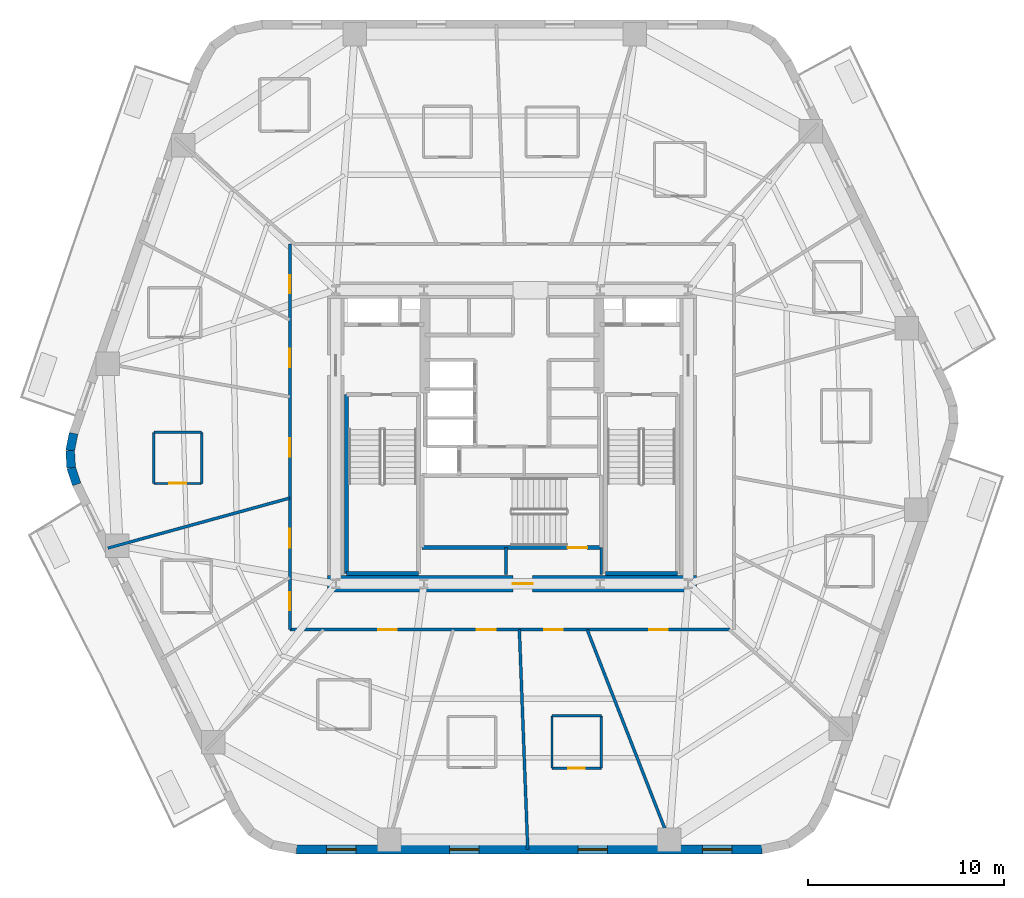
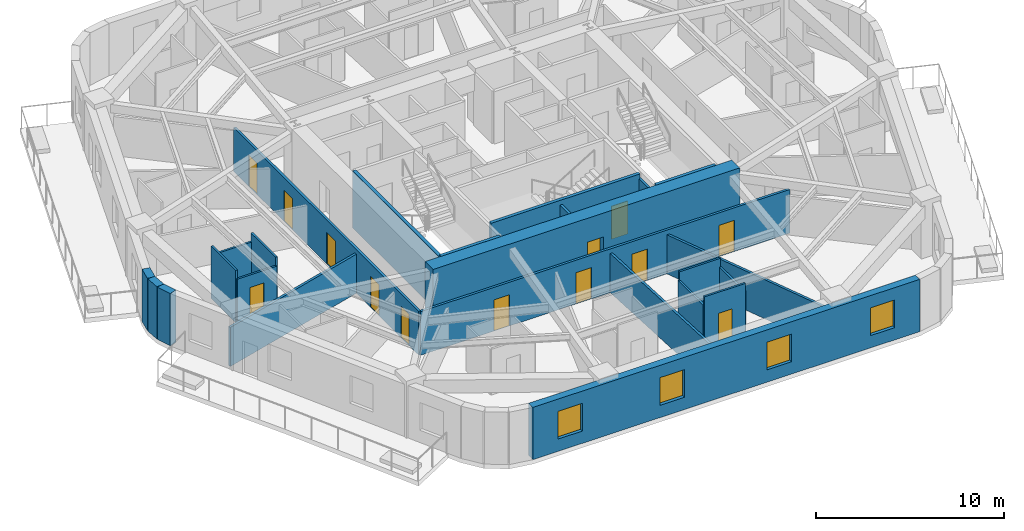
# One storey, part 3 of 10: 24 walls, 13 doors, 4 windows, 17 openings.
"""IFC4 building model written with IfcOpenShell, lengths in metres."""

from ifc_helpers import new_model, si_unit, direction, frame, frame_2d, origin, place, context, subcontext, project, spatial, rectangle, extrude, material, layer, layer_set, type_object, element, fill, save


model = new_model("IFC4")

# Units and contexts
model_context = context("Model", 3, precision=1e-05, world=origin(), true_north=direction((0.0, 1.0)))
body_context = subcontext(model_context, "Body", "Model", "MODEL_VIEW")
ifc_project = project(units=[si_unit("LENGTHUNIT", "METRE"), si_unit("AREAUNIT", "SQUARE_METRE"), si_unit("VOLUMEUNIT", "CUBIC_METRE"), si_unit("PLANEANGLEUNIT", "RADIAN"), si_unit("MASSUNIT", "GRAM", prefix="KILO")], contexts=[model_context])

# Site, building, storey
site_placement = place(None, origin())
site = spatial("IfcSite", under=ifc_project, at=site_placement, CompositionType="ELEMENT")
building_placement = place(site_placement, origin())
building = spatial("IfcBuilding", under=site, at=building_placement, Name="Kilnhurst Terrace Hotel", CompositionType="ELEMENT")
storey_placement = place(building_placement, frame((0.0, 0.0, 113.60009765625)))
storey = spatial("IfcBuildingStorey", under=building, at=storey_placement, Name="L27", CompositionType="ELEMENT", Elevation=113.60009765625)

# Walls
ifc_material_1 = material(Name="Precast concrete C40/50", Category="concrete")
ifc_layer_1 = layer(ifc_material_1, 0.449951171875, Name="Precast concrete C40/50")
ifc_layer_set_1 = layer_set([ifc_layer_1], Name="Precast concrete C40/50")
wall_type_1 = type_object("IfcWallType", Name="WL-BRK-450", PredefinedType="SOLIDWALL", material=ifc_layer_set_1)
wall_1_placement = place(storey_placement, frame((-22.39697265625, 0.17919921875, 0.0), z_axis=(0.0, 0.0, 1.0), x_axis=(-0.199313589404, -0.979935759669, 0.0)))
element("IfcWall", 1, at=wall_1_placement, inside=storey, type_object=wall_type_1, Name="L27 Rounded Corner Brick Wall C6.1", PredefinedType="SOLIDWALL", context=body_context, shape_type="SweptSolid", body=[
    extrude(rectangle(XDim=0.8955078125, YDim=0.449951171875, at=frame_2d((0.44775390625, 0.0))), origin(), (0.0, 0.0, 1.0), 3.39990234375),
])
wall_2_placement = place(storey_placement, frame((-22.575439453125, -0.6982421875, 0.0), z_axis=(0.0, 0.0, 1.0), x_axis=(0.060980441946, -0.998138961117, 0.0)))
element("IfcWall", 2, at=wall_2_placement, inside=storey, type_object=wall_type_1, Name="L27 Rounded Corner Brick Wall C6.2", PredefinedType="SOLIDWALL", context=body_context, shape_type="SweptSolid", body=[
    extrude(rectangle(XDim=0.880859375, YDim=0.449951171875, at=frame_2d((0.4404296875, 0.0))), origin(), (0.0, 0.0, 1.0), 3.39990234375),
])
wall_3_placement = place(storey_placement, frame((-22.521728515625, -1.577392578125, 0.0), z_axis=(0.0, 0.0, 1.0), x_axis=(0.317372694837, -0.948300887151, 0.0)))
element("IfcWall", 3, at=wall_3_placement, inside=storey, type_object=wall_type_1, Name="L27 Rounded Corner Brick Wall C6.3", PredefinedType="SOLIDWALL", context=body_context, shape_type="SweptSolid", body=[
    extrude(rectangle(XDim=0.8955078125, YDim=0.449951171875, at=frame_2d((0.44775390625, 0.0))), origin(), (0.0, 0.0, 1.0), 3.39990234375),
])

# Wall, openings, windows
wall_4_placement = place(storey_placement, frame((-11.011962890625, -21.074951171875, 0.0), z_axis=(0.0, 0.0, 1.0), x_axis=(1.0, 0.0, 0.0)))
wall_4 = element("IfcWall", 4, at=wall_4_placement, inside=storey, type_object=wall_type_1, Name="L27 Exterior Brick Facade Wall F1", PredefinedType="SOLIDWALL", context=body_context, shape_type="SweptSolid", body=[
    extrude(rectangle(XDim=23.782470703125, YDim=0.449951171875, at=frame_2d((11.89111328125, 0.0))), origin(), (0.0, 0.0, 1.0), 3.39990234375),
])
opening_1_placement = place(wall_4_placement, frame((1.5419921875, 0.0, 0.800048828125)))
opening_1 = element("IfcOpeningElement", 5, at=opening_1_placement, cuts=wall_4, Name="Opening W-02", PredefinedType="OPENING", context=body_context, shape_type="SweptSolid", body=[
    extrude(rectangle(XDim=1.5, YDim=1.800048828125, at=frame_2d((0.75, 0.89990234375))), frame((0.0, 0.23486328125, 0.0), z_axis=(0.0, -1.0, 0.0), x_axis=(1.0, 0.0, 0.0)), (0.0, 0.0, 1.0), 0.469970703125),
])
opening_2_placement = place(wall_4_placement, frame((7.820068359375, 0.0, 0.800048828125)))
opening_2 = element("IfcOpeningElement", 6, at=opening_2_placement, cuts=wall_4, Name="Opening W-02", PredefinedType="OPENING", context=body_context, shape_type="SweptSolid", body=[
    extrude(rectangle(XDim=1.5, YDim=1.800048828125, at=frame_2d((0.75, 0.89990234375))), frame((0.0, 0.23486328125, 0.0), z_axis=(0.0, -1.0, 0.0), x_axis=(1.0, 0.0, 0.0)), (0.0, 0.0, 1.0), 0.469970703125),
])
opening_3_placement = place(wall_4_placement, frame((14.387939453125, 0.0, 0.800048828125)))
opening_3 = element("IfcOpeningElement", 7, at=opening_3_placement, cuts=wall_4, Name="Opening W-02", PredefinedType="OPENING", context=body_context, shape_type="SweptSolid", body=[
    extrude(rectangle(XDim=1.5, YDim=1.800048828125, at=frame_2d((0.75, 0.89990234375))), frame((0.0, 0.23486328125, 0.0), z_axis=(0.0, -1.0, 0.0), x_axis=(1.0, 0.0, 0.0)), (0.0, 0.0, 1.0), 0.469970703125),
])
opening_4_placement = place(wall_4_placement, frame((20.740966796875, 0.0, 0.800048828125)))
opening_4 = element("IfcOpeningElement", 8, at=opening_4_placement, cuts=wall_4, Name="Opening W-02", PredefinedType="OPENING", context=body_context, shape_type="SweptSolid", body=[
    extrude(rectangle(XDim=1.5, YDim=1.800048828125, at=frame_2d((0.75, 0.89990234375))), frame((0.0, 0.23486328125, 0.0), z_axis=(0.0, -1.0, 0.0), x_axis=(1.0, 0.0, 0.0)), (0.0, 0.0, 1.0), 0.469970703125),
])
ifc_material_2 = material(Name="Thermally Broken Bronze Aluminium Alloy 6063-T6 and Low-E Glass", Category="aluminium")
window_type = type_object("IfcWindowType", Name="WIN-1500X1800", PartitioningType="SINGLE_PANEL", PredefinedType="WINDOW", material=ifc_material_2)
window_1_placement = place(opening_1_placement, origin())
window_1 = element("IfcWindow", 9, at=window_1_placement, inside=storey, type_object=window_type, Name="L27 Deep-Set Masonry Window F1.1", OverallHeight=1.800048828125, OverallWidth=1.5, PartitioningType="SINGLE_PANEL", PredefinedType="WINDOW", context=body_context, shape_type="SweptSolid", body=[
    extrude(rectangle(XDim=1.5, YDim=1.800048828125, at=frame_2d((0.75, 0.89990234375))), frame((0.0, 0.030029296875, 0.0), z_axis=(0.0, -1.0, 0.0), x_axis=(1.0, 0.0, 0.0)), (0.0, 0.0, 1.0), 0.06005859375),
])
fill(opening_1, window_1)
window_2_placement = place(opening_2_placement, origin())
window_2 = element("IfcWindow", 10, at=window_2_placement, inside=storey, type_object=window_type, Name="L27 Deep-Set Masonry Window F1.2", OverallHeight=1.800048828125, OverallWidth=1.5, PartitioningType="SINGLE_PANEL", PredefinedType="WINDOW", context=body_context, shape_type="SweptSolid", body=[
    extrude(rectangle(XDim=1.5, YDim=1.800048828125, at=frame_2d((0.75, 0.89990234375))), frame((0.0, 0.030029296875, 0.0), z_axis=(0.0, -1.0, 0.0), x_axis=(1.0, 0.0, 0.0)), (0.0, 0.0, 1.0), 0.06005859375),
])
fill(opening_2, window_2)
window_3_placement = place(opening_3_placement, origin())
window_3 = element("IfcWindow", 11, at=window_3_placement, inside=storey, type_object=window_type, Name="L27 Deep-Set Masonry Window F1.3", OverallHeight=1.800048828125, OverallWidth=1.5, PartitioningType="SINGLE_PANEL", PredefinedType="WINDOW", context=body_context, shape_type="SweptSolid", body=[
    extrude(rectangle(XDim=1.5, YDim=1.800048828125, at=frame_2d((0.75, 0.89990234375))), frame((0.0, 0.030029296875, 0.0), z_axis=(0.0, -1.0, 0.0), x_axis=(1.0, 0.0, 0.0)), (0.0, 0.0, 1.0), 0.06005859375),
])
fill(opening_3, window_3)
window_4_placement = place(opening_4_placement, origin())
window_4 = element("IfcWindow", 12, at=window_4_placement, inside=storey, type_object=window_type, Name="L27 Deep-Set Masonry Window F1.4", OverallHeight=1.800048828125, OverallWidth=1.5, PartitioningType="SINGLE_PANEL", PredefinedType="WINDOW", context=body_context, shape_type="SweptSolid", body=[
    extrude(rectangle(XDim=1.5, YDim=1.800048828125, at=frame_2d((0.75, 0.89990234375))), frame((0.0, 0.030029296875, 0.0), z_axis=(0.0, -1.0, 0.0), x_axis=(1.0, 0.0, 0.0)), (0.0, 0.0, 1.0), 0.06005859375),
])
fill(opening_4, window_4)

# Wall, openings, doors
ifc_material_3 = material(Name="Acoustic Double-Gypsum Corridor Partition Assembly")
ifc_layer_2 = layer(ifc_material_3, 0.14990234375, Name="Acoustic Double-Gypsum Corridor Partition Assembly")
ifc_layer_set_2 = layer_set([ifc_layer_2], Name="Acoustic Double-Gypsum Corridor Partition Assembly")
wall_type_2 = type_object("IfcWallType", Name="WL-COR-150", PredefinedType="PARTITIONING", material=ifc_layer_set_2)
wall_5_placement = place(storey_placement, frame((-11.35009765625, -9.85009765625, 0.0), z_axis=(0.0, 0.0, 1.0), x_axis=(0.0, 1.0, 0.0)))
wall_5 = element("IfcWall", 13, at=wall_5_placement, inside=storey, type_object=wall_type_2, Name="L27 Interior Wall WL-L27-COR-01", PredefinedType="PARTITIONING", context=body_context, shape_type="SweptSolid", body=[
    extrude(rectangle(XDim=19.7001953125, YDim=0.14990234375, at=frame_2d((9.85009765625, 0.0))), origin(), (0.0, 0.0, 1.0), 2.83984375),
])
opening_5_placement = place(wall_5_placement, frame((17.197021484375, 0.0, 0.0)))
opening_5 = element("IfcOpeningElement", 14, at=opening_5_placement, cuts=wall_5, Name="Opening D-60C", PredefinedType="OPENING", context=body_context, shape_type="SweptSolid", body=[
    extrude(rectangle(XDim=0.89990234375, YDim=2.030029296875, at=frame_2d((0.449951171875, 1.01513671875))), frame((0.0, 0.0849609375, 0.0), z_axis=(0.0, -1.0, 0.0), x_axis=(1.0, 0.0, 0.0)), (0.0, 0.0, 1.0), 0.169921875),
])
opening_6_placement = place(wall_5_placement, frame((13.407958984375, 0.0, 0.0)))
opening_6 = element("IfcOpeningElement", 15, at=opening_6_placement, cuts=wall_5, Name="Opening D-60B", PredefinedType="OPENING", context=body_context, shape_type="SweptSolid", body=[
    extrude(rectangle(XDim=0.949951171875, YDim=2.030029296875, at=frame_2d((0.47509765625, 1.01513671875))), frame((0.0, 0.0849609375, 0.0), z_axis=(0.0, -1.0, 0.0), x_axis=(1.0, 0.0, 0.0)), (0.0, 0.0, 1.0), 0.169921875),
])
opening_7_placement = place(wall_5_placement, frame((8.8359375, 0.0, 0.0)))
opening_7 = element("IfcOpeningElement", 16, at=opening_7_placement, cuts=wall_5, Name="Opening D-60B", PredefinedType="OPENING", context=body_context, shape_type="SweptSolid", body=[
    extrude(rectangle(XDim=0.949951171875, YDim=2.030029296875, at=frame_2d((0.47509765625, 1.01513671875))), frame((0.0, 0.0849609375, 0.0), z_axis=(0.0, -1.0, 0.0), x_axis=(1.0, 0.0, 0.0)), (0.0, 0.0, 1.0), 0.169921875),
])
opening_8_placement = place(wall_5_placement, frame((4.198974609375, 0.0, 0.0)))
opening_8 = element("IfcOpeningElement", 17, at=opening_8_placement, cuts=wall_5, Name="Opening D-60B", PredefinedType="OPENING", context=body_context, shape_type="SweptSolid", body=[
    extrude(rectangle(XDim=0.949951171875, YDim=2.030029296875, at=frame_2d((0.47509765625, 1.01513671875))), frame((0.0, 0.0849609375, 0.0), z_axis=(0.0, -1.0, 0.0), x_axis=(1.0, 0.0, 0.0)), (0.0, 0.0, 1.0), 0.169921875),
])
opening_9_placement = place(wall_5_placement, frame((1.001953125, 0.0, 0.0)))
opening_9 = element("IfcOpeningElement", 18, at=opening_9_placement, cuts=wall_5, Name="Opening D-60C", PredefinedType="OPENING", context=body_context, shape_type="SweptSolid", body=[
    extrude(rectangle(XDim=0.89990234375, YDim=2.030029296875, at=frame_2d((0.449951171875, 1.01513671875))), frame((0.0, 0.0849609375, 0.0), z_axis=(0.0, -1.0, 0.0), x_axis=(1.0, 0.0, 0.0)), (0.0, 0.0, 1.0), 0.169921875),
])
ifc_material_4 = material(Name="Painted Solid-Core Service Fire Door")
door_type_1 = type_object("IfcDoorType", Name="DR-FD60-900", OperationType="NOTDEFINED", PredefinedType="DOOR", material=ifc_material_4)
door_1_placement = place(opening_5_placement, origin())
door_1 = element("IfcDoor", 19, at=door_1_placement, inside=storey, type_object=door_type_1, Name="L27 Executive Work Office Door 7", OperationType="SINGLE_SWING_LEFT", OverallHeight=2.030029296875, OverallWidth=0.89990234375, PredefinedType="DOOR", context=body_context, shape_type="SweptSolid", body=[
    extrude(rectangle(XDim=0.89990234375, YDim=2.030029296875, at=frame_2d((0.449951171875, 1.01513671875))), frame((0.0, 0.02490234375, 0.0), z_axis=(0.0, -1.0, 0.0), x_axis=(1.0, 0.0, 0.0)), (0.0, 0.0, 1.0), 0.050048828125),
])
fill(opening_5, door_1)
door_2_placement = place(opening_9_placement, origin())
door_2 = element("IfcDoor", 20, at=door_2_placement, inside=storey, type_object=door_type_1, Name="L27 Botanical Reading Lounge Door 11", OperationType="SINGLE_SWING_LEFT", OverallHeight=2.030029296875, OverallWidth=0.89990234375, PredefinedType="DOOR", context=body_context, shape_type="SweptSolid", body=[
    extrude(rectangle(XDim=0.89990234375, YDim=2.030029296875, at=frame_2d((0.449951171875, 1.01513671875))), frame((0.0, 0.02490234375, 0.0), z_axis=(0.0, -1.0, 0.0), x_axis=(1.0, 0.0, 0.0)), (0.0, 0.0, 1.0), 0.050048828125),
])
fill(opening_9, door_2)
ifc_material_5 = material(Name="Acoustic Walnut Veneer Solid-Core Fire Door")
door_type_2 = type_object("IfcDoorType", Name="DR-FD60-950", OperationType="NOTDEFINED", PredefinedType="DOOR", material=ifc_material_5)
door_3_placement = place(opening_6_placement, origin())
door_3 = element("IfcDoor", 21, at=door_3_placement, inside=storey, type_object=door_type_2, Name="L27 Guest Room Entry Door 8", OperationType="SINGLE_SWING_RIGHT", OverallHeight=2.030029296875, OverallWidth=0.949951171875, PredefinedType="DOOR", context=body_context, shape_type="SweptSolid", body=[
    extrude(rectangle(XDim=0.949951171875, YDim=2.030029296875, at=frame_2d((0.47509765625, 1.01513671875))), frame((0.0, 0.02490234375, 0.0), z_axis=(0.0, -1.0, 0.0), x_axis=(1.0, 0.0, 0.0)), (0.0, 0.0, 1.0), 0.050048828125),
])
fill(opening_6, door_3)
door_4_placement = place(opening_7_placement, origin())
door_4 = element("IfcDoor", 22, at=door_4_placement, inside=storey, type_object=door_type_2, Name="L27 Executive Suite Entry Door 9", OperationType="SINGLE_SWING_LEFT", OverallHeight=2.030029296875, OverallWidth=0.949951171875, PredefinedType="DOOR", context=body_context, shape_type="SweptSolid", body=[
    extrude(rectangle(XDim=0.949951171875, YDim=2.030029296875, at=frame_2d((0.47509765625, 1.01513671875))), frame((0.0, 0.02490234375, 0.0), z_axis=(0.0, -1.0, 0.0), x_axis=(1.0, 0.0, 0.0)), (0.0, 0.0, 1.0), 0.050048828125),
])
fill(opening_7, door_4)
door_5_placement = place(opening_8_placement, origin())
door_5 = element("IfcDoor", 23, at=door_5_placement, inside=storey, type_object=door_type_2, Name="L27 Guest Room Entry Door 10", OperationType="SINGLE_SWING_RIGHT", OverallHeight=2.030029296875, OverallWidth=0.949951171875, PredefinedType="DOOR", context=body_context, shape_type="SweptSolid", body=[
    extrude(rectangle(XDim=0.949951171875, YDim=2.030029296875, at=frame_2d((0.47509765625, 1.01513671875))), frame((0.0, 0.02490234375, 0.0), z_axis=(0.0, -1.0, 0.0), x_axis=(1.0, 0.0, 0.0)), (0.0, 0.0, 1.0), 0.050048828125),
])
fill(opening_8, door_5)

wall_6_placement = place(storey_placement, frame((11.35009765625, -9.85009765625, 0.0), z_axis=(0.0, 0.0, 1.0), x_axis=(-1.0, 0.0, 0.0)))
wall_6 = element("IfcWall", 24, at=wall_6_placement, inside=storey, type_object=wall_type_2, Name="L27 Interior Wall WL-L27-COR-04", PredefinedType="PARTITIONING", context=body_context, shape_type="SweptSolid", body=[
    extrude(rectangle(XDim=22.7001953125, YDim=0.14990234375, at=frame_2d((11.35009765625, 0.0))), origin(), (0.0, 0.0, 1.0), 2.83984375),
])
opening_10_placement = place(wall_6_placement, frame((17.237060546875, 0.0, 0.0)))
opening_10 = element("IfcOpeningElement", 25, at=opening_10_placement, cuts=wall_6, Name="Opening D-60B", PredefinedType="OPENING", context=body_context, shape_type="SweptSolid", body=[
    extrude(rectangle(XDim=0.949951171875, YDim=2.030029296875, at=frame_2d((0.47509765625, 1.01513671875))), frame((0.0, 0.0849609375, 0.0), z_axis=(0.0, -1.0, 0.0), x_axis=(1.0, 0.0, 0.0)), (0.0, 0.0, 1.0), 0.169921875),
])
opening_11_placement = place(wall_6_placement, frame((12.19189453125, 0.0, 0.0)))
opening_11 = element("IfcOpeningElement", 26, at=opening_11_placement, cuts=wall_6, Name="Opening D-60B", PredefinedType="OPENING", context=body_context, shape_type="SweptSolid", body=[
    extrude(rectangle(XDim=0.949951171875, YDim=2.030029296875, at=frame_2d((0.47509765625, 1.01513671875))), frame((0.0, 0.0849609375, 0.0), z_axis=(0.0, -1.0, 0.0), x_axis=(1.0, 0.0, 0.0)), (0.0, 0.0, 1.0), 0.169921875),
])
opening_12_placement = place(wall_6_placement, frame((8.757080078125, 0.0, 0.0)))
opening_12 = element("IfcOpeningElement", 27, at=opening_12_placement, cuts=wall_6, Name="Opening D-60B", PredefinedType="OPENING", context=body_context, shape_type="SweptSolid", body=[
    extrude(rectangle(XDim=0.949951171875, YDim=2.030029296875, at=frame_2d((0.47509765625, 1.01513671875))), frame((0.0, 0.0849609375, 0.0), z_axis=(0.0, -1.0, 0.0), x_axis=(1.0, 0.0, 0.0)), (0.0, 0.0, 1.0), 0.169921875),
])
opening_13_placement = place(wall_6_placement, frame((3.39892578125, 0.0, 0.0)))
opening_13 = element("IfcOpeningElement", 28, at=opening_13_placement, cuts=wall_6, Name="Opening D-60B", PredefinedType="OPENING", context=body_context, shape_type="SweptSolid", body=[
    extrude(rectangle(XDim=0.949951171875, YDim=2.030029296875, at=frame_2d((0.47509765625, 1.01513671875))), frame((0.0, 0.0849609375, 0.0), z_axis=(0.0, -1.0, 0.0), x_axis=(1.0, 0.0, 0.0)), (0.0, 0.0, 1.0), 0.169921875),
])
door_6_placement = place(opening_10_placement, origin())
door_6 = element("IfcDoor", 29, at=door_6_placement, inside=storey, type_object=door_type_2, Name="L27 Executive Suite Entry Door 12", OperationType="SINGLE_SWING_RIGHT", OverallHeight=2.030029296875, OverallWidth=0.949951171875, PredefinedType="DOOR", context=body_context, shape_type="SweptSolid", body=[
    extrude(rectangle(XDim=0.949951171875, YDim=2.030029296875, at=frame_2d((0.47509765625, 1.01513671875))), frame((0.0, 0.02490234375, 0.0), z_axis=(0.0, -1.0, 0.0), x_axis=(1.0, 0.0, 0.0)), (0.0, 0.0, 1.0), 0.050048828125),
])
fill(opening_10, door_6)
door_7_placement = place(opening_11_placement, origin())
door_7 = element("IfcDoor", 30, at=door_7_placement, inside=storey, type_object=door_type_2, Name="L27 Guest Room Entry Door 13", OperationType="SINGLE_SWING_LEFT", OverallHeight=2.030029296875, OverallWidth=0.949951171875, PredefinedType="DOOR", context=body_context, shape_type="SweptSolid", body=[
    extrude(rectangle(XDim=0.949951171875, YDim=2.030029296875, at=frame_2d((0.47509765625, 1.01513671875))), frame((0.0, 0.02490234375, 0.0), z_axis=(0.0, -1.0, 0.0), x_axis=(1.0, 0.0, 0.0)), (0.0, 0.0, 1.0), 0.050048828125),
])
fill(opening_11, door_7)
door_8_placement = place(opening_12_placement, origin())
door_8 = element("IfcDoor", 31, at=door_8_placement, inside=storey, type_object=door_type_2, Name="L27 Guest Room Entry Door 14", OperationType="SINGLE_SWING_RIGHT", OverallHeight=2.030029296875, OverallWidth=0.949951171875, PredefinedType="DOOR", context=body_context, shape_type="SweptSolid", body=[
    extrude(rectangle(XDim=0.949951171875, YDim=2.030029296875, at=frame_2d((0.47509765625, 1.01513671875))), frame((0.0, 0.02490234375, 0.0), z_axis=(0.0, -1.0, 0.0), x_axis=(1.0, 0.0, 0.0)), (0.0, 0.0, 1.0), 0.050048828125),
])
fill(opening_12, door_8)
door_9_placement = place(opening_13_placement, origin())
door_9 = element("IfcDoor", 32, at=door_9_placement, inside=storey, type_object=door_type_2, Name="L27 Business Office Suite Door", OperationType="SINGLE_SWING_LEFT", OverallHeight=2.030029296875, OverallWidth=0.949951171875, PredefinedType="DOOR", context=body_context, shape_type="SweptSolid", body=[
    extrude(rectangle(XDim=0.949951171875, YDim=2.030029296875, at=frame_2d((0.47509765625, 1.01513671875))), frame((0.0, 0.02490234375, 0.0), z_axis=(0.0, -1.0, 0.0), x_axis=(1.0, 0.0, 0.0)), (0.0, 0.0, 1.0), 0.050048828125),
])
fill(opening_13, door_9)

# Wall, opening, door
ifc_material_6 = material(Name="Concrete C80/95", Category="concrete")
ifc_layer_3 = layer(ifc_material_6, 0.85009765625, Name="Concrete C80/95")
ifc_layer_set_3 = layer_set([ifc_layer_3], Name="Concrete C80/95")
wall_type_3 = type_object("IfcWallType", Name="WL-CORE-850", PredefinedType="SHEAR", material=ifc_layer_set_3)
wall_7_placement = place(storey_placement, frame((-9.425048828125, -7.5, 0.0), z_axis=(0.0, 0.0, 1.0), x_axis=(1.0, 0.0, 0.0)))
wall_7 = element("IfcWall", 33, at=wall_7_placement, inside=storey, type_object=wall_type_3, Name="L27 Core South Shear Wall", PredefinedType="SHEAR", context=body_context, shape_type="SweptSolid", body=[
    extrude(rectangle(XDim=18.85009765625, YDim=0.85009765625, at=frame_2d((9.425048828125, 0.0))), origin(), (0.0, 0.0, 1.0), 3.699951171875),
])
opening_14_placement = place(wall_7_placement, frame((9.47509765625, 0.0, 0.0)))
opening_14 = element("IfcOpeningElement", 34, at=opening_14_placement, cuts=wall_7, Name="Opening D-90B", PredefinedType="OPENING", context=body_context, shape_type="SweptSolid", body=[
    extrude(rectangle(XDim=1.0, YDim=2.14990234375, at=frame_2d((0.5, 1.074951171875))), frame((0.0, 0.43505859375, 0.0), z_axis=(0.0, -1.0, 0.0), x_axis=(1.0, 0.0, 0.0)), (0.0, 0.0, 1.0), 0.8701171875),
])
ifc_material_7 = material(Name="Painted Hollow Metal Steel ASTM A36 Fire Door", Category="steel")
door_type_3 = type_object("IfcDoorType", Name="DR-FD90-1000", OperationType="NOTDEFINED", PredefinedType="DOOR", material=ifc_material_7)
door_10_placement = place(opening_14_placement, origin())
door_10 = element("IfcDoor", 35, at=door_10_placement, inside=storey, type_object=door_type_3, Name="L27 Stair ST-3 Corridor Door", OperationType="SINGLE_SWING_RIGHT", OverallHeight=2.14990234375, OverallWidth=1.0, PredefinedType="DOOR", context=body_context, shape_type="SweptSolid", body=[
    extrude(rectangle(XDim=1.0, YDim=2.14990234375, at=frame_2d((0.5, 1.074951171875))), frame((0.0, 0.02490234375, 0.0), z_axis=(0.0, -1.0, 0.0), x_axis=(1.0, 0.0, 0.0)), (0.0, 0.0, 1.0), 0.050048828125),
])
fill(opening_14, door_10)

# Walls
ifc_material_8 = material(Name="STC-58 Acoustic Twin-Frame Guestroom Demising Partition")
ifc_layer_4 = layer(ifc_material_8, 0.14990234375, Name="STC-58 Acoustic Twin-Frame Guestroom Demising Partition")
ifc_layer_set_4 = layer_set([ifc_layer_4], Name="STC-58 Acoustic Twin-Frame Guestroom Demising Partition")
wall_type_4 = type_object("IfcWallType", Name="WL-DEM-150", PredefinedType="PARTITIONING", material=ifc_layer_set_4)
wall_8_placement = place(storey_placement, frame((-11.35009765625, -3.123291015625, 0.0), z_axis=(0.0, 0.0, 1.0), x_axis=(-0.964151983214, -0.265350623261, 0.0)))
element("IfcWall", 36, at=wall_8_placement, inside=storey, type_object=wall_type_4, Name="L27 Interior Wall WL-L27-DEM-COL07-10-1", PredefinedType="PARTITIONING", context=body_context, shape_type="SweptSolid", body=[
    extrude(rectangle(XDim=9.64501953125, YDim=0.14990234375, at=frame_2d((4.822509765625, 0.0))), origin(), (0.0, 0.0, 1.0), 2.539794921875),
])
wall_9_placement = place(storey_placement, frame((0.3759765625, -9.85009765625, 0.0), z_axis=(0.0, 0.0, 1.0), x_axis=(0.03812177869, -0.999273100804, 0.0)))
element("IfcWall", 37, at=wall_9_placement, inside=storey, type_object=wall_type_4, Name="L27 Interior Wall WL-L27-DEM-MID09-14-1", PredefinedType="PARTITIONING", context=body_context, shape_type="SweptSolid", body=[
    extrude(rectangle(XDim=11.23291015625, YDim=0.14990234375, at=frame_2d((5.616455078125, 0.0))), origin(), (0.0, 0.0, 1.0), 2.539794921875),
])
wall_10_placement = place(storey_placement, frame((3.84228515625, -9.85009765625, 0.0), z_axis=(0.0, 0.0, 1.0), x_axis=(0.363432685593, -0.931620460833, 0.0)))
element("IfcWall", 38, at=wall_10_placement, inside=storey, type_object=wall_type_4, Name="L27 Interior Wall WL-L27-DEM-COL10-15-1", PredefinedType="PARTITIONING", context=body_context, shape_type="SweptSolid", body=[
    extrude(rectangle(XDim=12.048828125, YDim=0.14990234375, at=frame_2d((6.0244140625, 0.0))), origin(), (0.0, 0.0, 1.0), 2.539794921875),
])

# Wall, opening, door
ifc_material_9 = material(Name="120 mm Moisture-Resistant Tile-Backed Bathroom Partition")
ifc_layer_5 = layer(ifc_material_9, 0.1201171875, Name="120 mm Moisture-Resistant Tile-Backed Bathroom Partition")
ifc_layer_set_5 = layer_set([ifc_layer_5], Name="120 mm Moisture-Resistant Tile-Backed Bathroom Partition")
wall_type_5 = type_object("IfcWallType", Name="WL-PART-120", PredefinedType="PARTITIONING", material=ifc_layer_set_5)
wall_11_placement = place(storey_placement, frame((-18.294921875, -2.37890625, 0.0), z_axis=(0.0, 0.0, 1.0), x_axis=(1.0, 0.0, 0.0)))
wall_11 = element("IfcWall", 39, at=wall_11_placement, inside=storey, type_object=wall_type_5, Name="L27 Interior Wall WL-L27-BTH-09-1", PredefinedType="PARTITIONING", context=body_context, shape_type="SweptSolid", body=[
    extrude(rectangle(XDim=2.43994140625, YDim=0.1201171875, at=frame_2d((1.219970703125, 0.0))), origin(), (0.0, 0.0, 1.0), 2.84033203125),
])
opening_15_placement = place(wall_11_placement, frame((0.794921875, 0.0, 0.0)))
opening_15 = element("IfcOpeningElement", 40, at=opening_15_placement, cuts=wall_11, Name="Opening D-08A", PredefinedType="OPENING", context=body_context, shape_type="SweptSolid", body=[
    extrude(rectangle(XDim=0.85009765625, YDim=2.030029296875, at=frame_2d((0.425048828125, 1.01513671875))), frame((0.0, 0.070068359375, 0.0), z_axis=(0.0, -1.0, 0.0), x_axis=(1.0, 0.0, 0.0)), (0.0, 0.0, 1.0), 0.14013671875),
])
ifc_material_10 = material(Name="Moisture-Resistant Lacquered En-suite Bathroom Door")
door_type_4 = type_object("IfcDoorType", Name="DR-INT-850", OperationType="NOTDEFINED", PredefinedType="DOOR", material=ifc_material_10)
door_11_placement = place(opening_15_placement, origin())
door_11 = element("IfcDoor", 41, at=door_11_placement, inside=storey, type_object=door_type_4, Name="L27 En-suite Bathroom Door 9", OperationType="SINGLE_SWING_RIGHT", OverallHeight=2.030029296875, OverallWidth=0.85009765625, PredefinedType="DOOR", context=body_context, shape_type="SweptSolid", body=[
    extrude(rectangle(XDim=0.85009765625, YDim=2.030029296875, at=frame_2d((0.425048828125, 1.01513671875))), frame((0.0, 0.02490234375, 0.0), z_axis=(0.0, -1.0, 0.0), x_axis=(1.0, 0.0, 0.0)), (0.0, 0.0, 1.0), 0.050048828125),
])
fill(opening_15, door_11)

# Walls
wall_12_placement = place(storey_placement, frame((-15.85498046875, -2.37890625, 0.0), z_axis=(0.0, 0.0, 1.0), x_axis=(0.0, 1.0, 0.0)))
element("IfcWall", 42, at=wall_12_placement, inside=storey, type_object=wall_type_5, Name="L27 Interior Wall WL-L27-BTH-09-2", PredefinedType="PARTITIONING", context=body_context, shape_type="SweptSolid", body=[
    extrude(rectangle(XDim=2.60986328125, YDim=0.1201171875, at=frame_2d((1.304931640625, 0.0))), origin(), (0.0, 0.0, 1.0), 3.39990234375),
])
wall_13_placement = place(storey_placement, frame((-15.85498046875, 0.23095703125, 0.0), z_axis=(0.0, 0.0, 1.0), x_axis=(-1.0, 0.0, 0.0)))
element("IfcWall", 43, at=wall_13_placement, inside=storey, type_object=wall_type_5, Name="L27 Interior Wall WL-L27-BTH-09-3", PredefinedType="PARTITIONING", context=body_context, shape_type="SweptSolid", body=[
    extrude(rectangle(XDim=2.43994140625, YDim=0.1201171875, at=frame_2d((1.219970703125, 0.0))), origin(), (0.0, 0.0, 1.0), 2.84033203125),
])
wall_14_placement = place(storey_placement, frame((-18.294921875, 0.23095703125, 0.0), z_axis=(0.0, 0.0, 1.0), x_axis=(0.0, -1.0, 0.0)))
element("IfcWall", 44, at=wall_14_placement, inside=storey, type_object=wall_type_5, Name="L27 Interior Wall WL-L27-BTH-09-4", PredefinedType="PARTITIONING", context=body_context, shape_type="SweptSolid", body=[
    extrude(rectangle(XDim=2.60986328125, YDim=0.1201171875, at=frame_2d((1.304931640625, 0.0))), origin(), (0.0, 0.0, 1.0), 3.39990234375),
])

# Wall, opening, door
wall_15_placement = place(storey_placement, frame((2.0400390625, -16.927001953125, 0.0), z_axis=(0.0, 0.0, 1.0), x_axis=(1.0, 0.0, 0.0)))
wall_15 = element("IfcWall", 45, at=wall_15_placement, inside=storey, type_object=wall_type_5, Name="L27 Interior Wall WL-L27-BTH-14-1", PredefinedType="PARTITIONING", context=body_context, shape_type="SweptSolid", body=[
    extrude(rectangle(XDim=2.52001953125, YDim=0.1201171875, at=frame_2d((1.260009765625, 0.0))), origin(), (0.0, 0.0, 1.0), 3.39990234375),
])
opening_16_placement = place(wall_15_placement, frame((0.8349609375, 0.0, 0.0)))
opening_16 = element("IfcOpeningElement", 46, at=opening_16_placement, cuts=wall_15, Name="Opening D-08A", PredefinedType="OPENING", context=body_context, shape_type="SweptSolid", body=[
    extrude(rectangle(XDim=0.85009765625, YDim=2.030029296875, at=frame_2d((0.425048828125, 1.01513671875))), frame((0.0, 0.070068359375, 0.0), z_axis=(0.0, -1.0, 0.0), x_axis=(1.0, 0.0, 0.0)), (0.0, 0.0, 1.0), 0.14013671875),
])
door_12_placement = place(opening_16_placement, origin())
door_12 = element("IfcDoor", 47, at=door_12_placement, inside=storey, type_object=door_type_4, Name="L27 En-suite Bathroom Door 14", OperationType="SINGLE_SWING_LEFT", OverallHeight=2.030029296875, OverallWidth=0.85009765625, PredefinedType="DOOR", context=body_context, shape_type="SweptSolid", body=[
    extrude(rectangle(XDim=0.85009765625, YDim=2.030029296875, at=frame_2d((0.425048828125, 1.01513671875))), frame((0.0, 0.02490234375, 0.0), z_axis=(0.0, -1.0, 0.0), x_axis=(1.0, 0.0, 0.0)), (0.0, 0.0, 1.0), 0.050048828125),
])
fill(opening_16, door_12)

# Walls
wall_16_placement = place(storey_placement, frame((4.56005859375, -16.927001953125, 0.0), z_axis=(0.0, 0.0, 1.0), x_axis=(0.0, 1.0, 0.0)))
element("IfcWall", 48, at=wall_16_placement, inside=storey, type_object=wall_type_5, Name="L27 Interior Wall WL-L27-BTH-14-2", PredefinedType="PARTITIONING", context=body_context, shape_type="SweptSolid", body=[
    extrude(rectangle(XDim=2.679931640625, YDim=0.1201171875, at=frame_2d((1.33984375, 0.0))), origin(), (0.0, 0.0, 1.0), 2.84033203125),
])
wall_17_placement = place(storey_placement, frame((4.56005859375, -14.2470703125, 0.0), z_axis=(0.0, 0.0, 1.0), x_axis=(-1.0, 0.0, 0.0)))
element("IfcWall", 49, at=wall_17_placement, inside=storey, type_object=wall_type_5, Name="L27 Interior Wall WL-L27-BTH-14-3", PredefinedType="PARTITIONING", context=body_context, shape_type="SweptSolid", body=[
    extrude(rectangle(XDim=2.52001953125, YDim=0.1201171875, at=frame_2d((1.260009765625, 0.0))), origin(), (0.0, 0.0, 1.0), 3.39990234375),
])
wall_18_placement = place(storey_placement, frame((2.0400390625, -14.2470703125, 0.0), z_axis=(0.0, 0.0, 1.0), x_axis=(0.0, -1.0, 0.0)))
element("IfcWall", 50, at=wall_18_placement, inside=storey, type_object=wall_type_5, Name="L27 Interior Wall WL-L27-BTH-14-4", PredefinedType="PARTITIONING", context=body_context, shape_type="SweptSolid", body=[
    extrude(rectangle(XDim=2.679931640625, YDim=0.1201171875, at=frame_2d((1.33984375, 0.0))), origin(), (0.0, 0.0, 1.0), 2.84033203125),
])
ifc_material_11 = material(Name="Fire-Rated Gypsum Shaftliner Assembly")
ifc_layer_6 = layer(ifc_material_11, 0.14990234375, Name="Fire-Rated Gypsum Shaftliner Assembly")
ifc_layer_set_6 = layer_set([ifc_layer_6], Name="Fire-Rated Gypsum Shaftliner Assembly")
wall_type_6 = type_object("IfcWallType", Name="WL-SHAFT-150", PredefinedType="PARTITIONING", material=ifc_layer_set_6)
for number, where, z_axis, x_axis, name in (
    (51, (-0.300048828125, -7.02001953125, 0.0), (0.0, 0.0, 1.0), (0.0, 1.0, 0.0), "L27 Interior Wall WL-L27-ST3-PSGW"),
    (52, (4.55810546875, -7.02001953125, 0.0), (0.0, 0.0, 1.0), (0.0, 1.0, 0.0), "L27 Interior Wall WL-L27-ST3-PSGE"),
):
    element("IfcWall", number, at=place(storey_placement, frame(where, z_axis=z_axis, x_axis=x_axis)), inside=storey, type_object=wall_type_6, Name=name, PredefinedType="PARTITIONING", context=body_context, shape_type="SweptSolid", body=[
        extrude(rectangle(XDim=1.362060546875, YDim=0.14990234375, at=frame_2d((0.68115234375, 0.0))), origin(), (0.0, 0.0, 1.0), 3.39990234375),
    ])
ifc_material_12 = material(Name="Concrete C50/60", Category="concrete")
ifc_layer_7 = layer(ifc_material_12, 0.199951171875, Name="Concrete C50/60")
ifc_layer_set_7 = layer_set([ifc_layer_7], Name="Concrete C50/60")
wall_type_7 = type_object("IfcWallType", Name="WL-STAIR-RC-200", PredefinedType="SHEAR", material=ifc_layer_set_7)
wall_19_placement = place(storey_placement, frame((-8.4580078125, -6.985107421875, 0.0), z_axis=(0.0, 0.0, 1.0), x_axis=(0.0, 1.0, 0.0)))
element("IfcWall", 53, at=wall_19_placement, inside=storey, type_object=wall_type_7, Name="L27 Structural Stair Shaft Wall WL-L27-ST1-W", PredefinedType="SHEAR", context=body_context, shape_type="SweptSolid", body=[
    extrude(rectangle(XDim=9.14306640625, YDim=0.199951171875, at=frame_2d((4.571533203125, 0.0))), origin(), (0.0, 0.0, 1.0), 3.699951171875),
])
for number, where, z_axis, x_axis, name in (
    (54, (-8.4580078125, -6.985107421875, 0.0), (0.0, 0.0, 1.0), (1.0, 0.0, 0.0), "L27 Structural Stair Shaft Wall WL-L27-ST1-S"),
    (55, (4.77197265625, -6.985107421875, 0.0), (0.0, 0.0, 1.0), (1.0, 0.0, 0.0), "L27 Structural Stair Shaft Wall WL-L27-ST2-S"),
):
    element("IfcWall", number, at=place(storey_placement, frame(where, z_axis=z_axis, x_axis=x_axis)), inside=storey, type_object=wall_type_7, Name=name, PredefinedType="SHEAR", context=body_context, shape_type="SweptSolid", body=[
        extrude(rectangle(XDim=3.68603515625, YDim=0.199951171875, at=frame_2d((1.843017578125, 0.0))), origin(), (0.0, 0.0, 1.0), 3.699951171875),
    ])

# Wall, opening, door
wall_20_placement = place(storey_placement, frame((-4.60791015625, -5.657958984375, 0.0), z_axis=(0.0, 0.0, 1.0), x_axis=(1.0, 0.0, 0.0)))
wall_20 = element("IfcWall", 56, at=wall_20_placement, inside=storey, type_object=wall_type_7, Name="L27 Structural Stair Shaft Wall WL-L27-ST3-S", PredefinedType="SHEAR", context=body_context, shape_type="SweptSolid", body=[
    extrude(rectangle(XDim=9.166015625, YDim=0.199951171875, at=frame_2d((4.5830078125, 0.0))), origin(), (0.0, 0.0, 1.0), 3.699951171875),
])
opening_17_placement = place(wall_20_placement, frame((7.449951171875, 0.0, 0.0)))
opening_17 = element("IfcOpeningElement", 57, at=opening_17_placement, cuts=wall_20, Name="Opening D-90B", PredefinedType="OPENING", context=body_context, shape_type="SweptSolid", body=[
    extrude(rectangle(XDim=1.0, YDim=2.14990234375, at=frame_2d((0.5, 1.074951171875))), frame((0.0, 0.10986328125, 0.0), z_axis=(0.0, -1.0, 0.0), x_axis=(1.0, 0.0, 0.0)), (0.0, 0.0, 1.0), 0.219970703125),
])
door_13_placement = place(opening_17_placement, origin())
door_13 = element("IfcDoor", 58, at=door_13_placement, inside=storey, type_object=door_type_3, Name="L27 Stair ST-3 Shaft Door", OperationType="SINGLE_SWING_LEFT", OverallHeight=2.14990234375, OverallWidth=1.0, PredefinedType="DOOR", context=body_context, shape_type="SweptSolid", body=[
    extrude(rectangle(XDim=1.0, YDim=2.14990234375, at=frame_2d((0.5, 1.074951171875))), frame((0.0, 0.02490234375, 0.0), z_axis=(0.0, -1.0, 0.0), x_axis=(1.0, 0.0, 0.0)), (0.0, 0.0, 1.0), 0.050048828125),
])
fill(opening_17, door_13)

save(model, "model.ifc")
